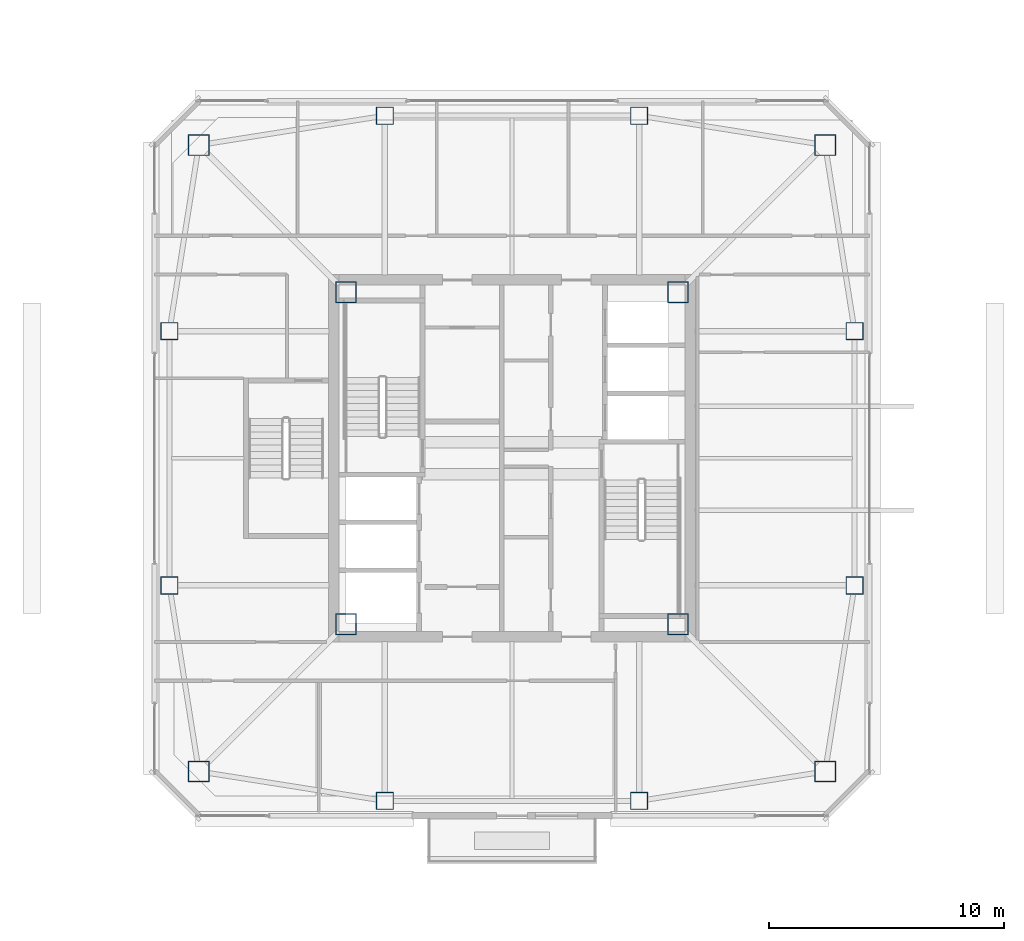
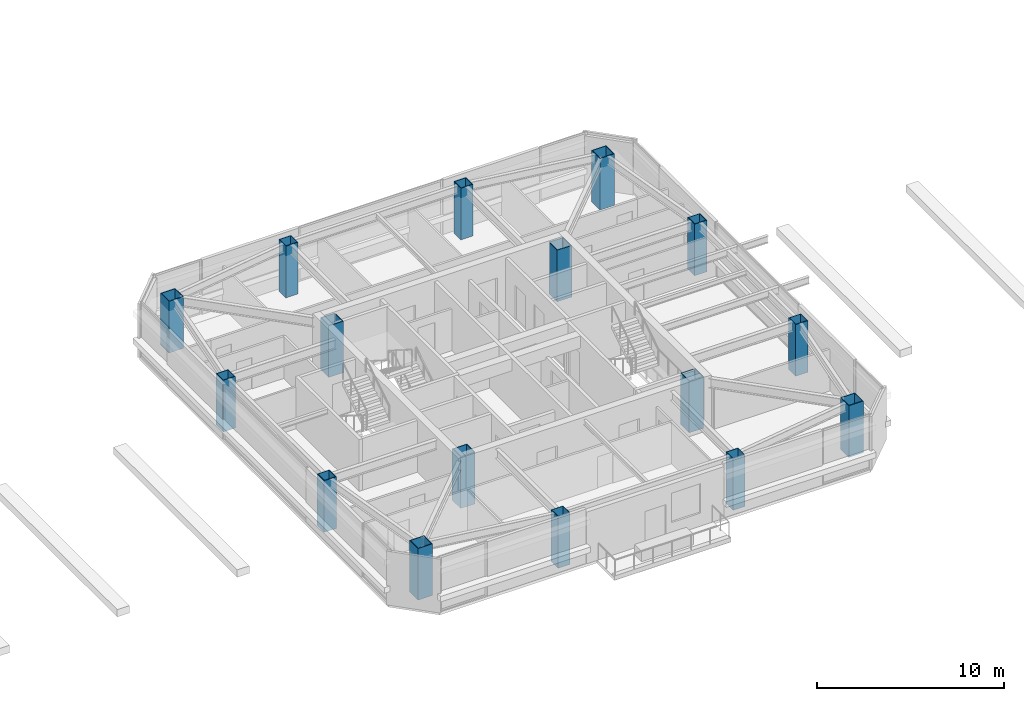
# One storey, part 1 of 31: 16 columns.
"""IFC4 building model written with IfcOpenShell, lengths in metres."""

from ifc_helpers import new_model, si_unit, direction, frame, origin, origin_2d, place, context, subcontext, project, spatial, hollow_rectangle, extrude, material, material_profile, profile_set, type_object, element, save


model = new_model("IFC4")

# Units and contexts
model_context = context("Model", 3, precision=1e-05, world=origin(), true_north=direction((0.0, 1.0)))
body_context = subcontext(model_context, "Body", "Model", "MODEL_VIEW")
ifc_project = project(units=[si_unit("LENGTHUNIT", "METRE"), si_unit("AREAUNIT", "SQUARE_METRE"), si_unit("VOLUMEUNIT", "CUBIC_METRE"), si_unit("PLANEANGLEUNIT", "RADIAN"), si_unit("MASSUNIT", "GRAM", prefix="KILO")], contexts=[model_context])

# Site, building, storey
site_placement = place(None, origin())
site = spatial("IfcSite", under=ifc_project, at=site_placement, CompositionType="ELEMENT")
building_placement = place(site_placement, origin())
building = spatial("IfcBuilding", under=site, at=building_placement, Name="Tashvorn Skyway Center", CompositionType="ELEMENT")
storey_placement = place(building_placement, frame((0.0, 0.0, 266.949951171875)))
storey = spatial("IfcBuildingStorey", under=building, at=storey_placement, Name="L72", CompositionType="ELEMENT", Elevation=266.949951171875)

# Columns
ifc_material = material(Name="Steel ASTM A572 Grade 50", Category="steel")
ifc_material_profile_1 = material_profile(ifc_material, hollow_rectangle(XDim=0.75, YDim=0.75, WallThickness=0.031982421875, at=origin_2d()), Name="BOX750x750x32")
ifc_profile_set_1 = profile_set([ifc_material_profile_1], Name="Steel ASTM A572 Grade 50")
column_type_1 = type_object("IfcColumnType", Name="COL-BOX750x750x32", PredefinedType="COLUMN", material=ifc_profile_set_1)
for number, where, z_axis, x_axis, name in (
    (1, (36.60009765625, 17.449951171875, 0.0), (0.0, 0.0, 1.0), (1.0, 0.0, 0.0), "Tower 1 L72 Perimeter Column FC-S1"),
    (2, (47.39990234375, 17.449951171875, 0.0), (0.0, 0.0, 1.0), (1.0, 0.0, 0.0), "Tower 1 L72 Perimeter Column FC-S2"),
    (3, (56.550048828125, 26.60009765625, 0.0), (0.0, 0.0, 1.0), (1.0, 0.0, 0.0), "Tower 1 L72 Perimeter Column FC-E1"),
    (4, (56.550048828125, 37.39990234375, 0.0), (0.0, 0.0, 1.0), (1.0, 0.0, 0.0), "Tower 1 L72 Perimeter Column FC-E2"),
    (5, (47.39990234375, 46.550048828125, 0.0), (0.0, 0.0, 1.0), (1.0, 0.0, 0.0), "Tower 1 L72 Perimeter Column FC-N1"),
    (6, (36.60009765625, 46.550048828125, 0.0), (0.0, 0.0, 1.0), (1.0, 0.0, 0.0), "Tower 1 L72 Perimeter Column FC-N2"),
    (7, (27.449951171875, 37.39990234375, 0.0), (0.0, 0.0, 1.0), (1.0, 0.0, 0.0), "Tower 1 L72 Perimeter Column FC-W1"),
    (8, (27.449951171875, 26.60009765625, 0.0), (0.0, 0.0, 1.0), (1.0, 0.0, 0.0), "Tower 1 L72 Perimeter Column FC-W2"),
):
    element("IfcColumn", number, at=place(storey_placement, frame(where, z_axis=z_axis, x_axis=x_axis)), inside=storey, type_object=column_type_1, Name=name, PredefinedType="COLUMN", context=body_context, shape_type="SweptSolid", body=[
        extrude(hollow_rectangle(XDim=0.75, YDim=0.75, WallThickness=0.031982421875, at=origin_2d()), origin(), (0.0, 0.0, 1.0), 3.3701171875),
    ])
ifc_material_profile_2 = material_profile(ifc_material, hollow_rectangle(XDim=0.89990234375, YDim=0.89990234375, WallThickness=0.0400390625, at=origin_2d()), Name="BOX900x900x40")
ifc_profile_set_2 = profile_set([ifc_material_profile_2], Name="Steel ASTM A572 Grade 50")
column_type_2 = type_object("IfcColumnType", Name="COL-BOX900x900x40", PredefinedType="COLUMN", material=ifc_profile_set_2)
for number, where, z_axis, x_axis, name in (
    (9, (34.949951171875, 24.949951171875, 0.0), (0.0, 0.0, 1.0), (1.0, 0.0, 0.0), "Tower 1 L72 Core Corner Column CC-SW"),
    (10, (49.050048828125, 24.949951171875, 0.0), (0.0, 0.0, 1.0), (1.0, 0.0, 0.0), "Tower 1 L72 Core Corner Column CC-SE"),
    (11, (49.050048828125, 39.050048828125, 0.0), (0.0, 0.0, 1.0), (1.0, 0.0, 0.0), "Tower 1 L72 Core Corner Column CC-NE"),
    (12, (34.949951171875, 39.050048828125, 0.0), (0.0, 0.0, 1.0), (1.0, 0.0, 0.0), "Tower 1 L72 Core Corner Column CC-NW"),
    (13, (28.699951171875, 18.699951171875, 0.0), (0.0, 0.0, 1.0), (1.0, 0.0, 0.0), "Tower 1 L72 Mega-Column MC-SW"),
    (14, (55.300048828125, 18.699951171875, 0.0), (0.0, 0.0, 1.0), (1.0, 0.0, 0.0), "Tower 1 L72 Mega-Column MC-SE"),
    (15, (55.300048828125, 45.300048828125, 0.0), (0.0, 0.0, 1.0), (1.0, 0.0, 0.0), "Tower 1 L72 Mega-Column MC-NE"),
    (16, (28.699951171875, 45.300048828125, 0.0), (0.0, 0.0, 1.0), (1.0, 0.0, 0.0), "Tower 1 L72 Mega-Column MC-NW"),
):
    element("IfcColumn", number, at=place(storey_placement, frame(where, z_axis=z_axis, x_axis=x_axis)), inside=storey, type_object=column_type_2, Name=name, PredefinedType="COLUMN", context=body_context, shape_type="SweptSolid", body=[
        extrude(hollow_rectangle(XDim=0.89990234375, YDim=0.89990234375, WallThickness=0.0400390625, at=origin_2d()), origin(), (0.0, 0.0, 1.0), 3.3701171875),
    ])

save(model, "model.ifc")
